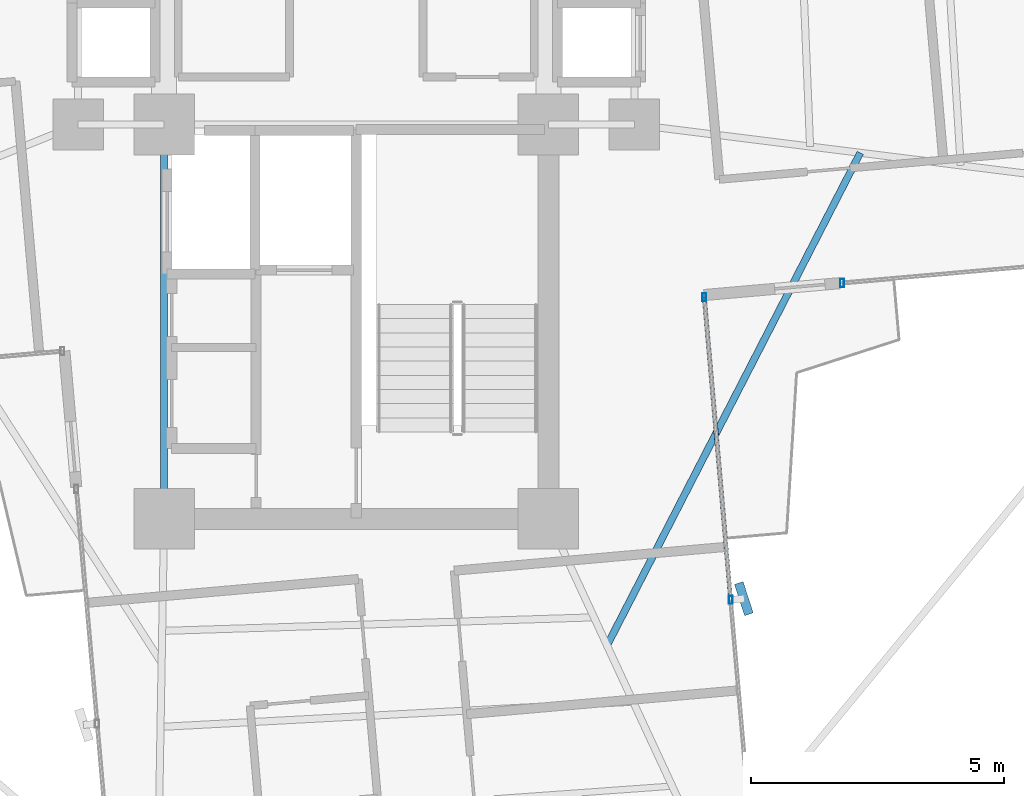
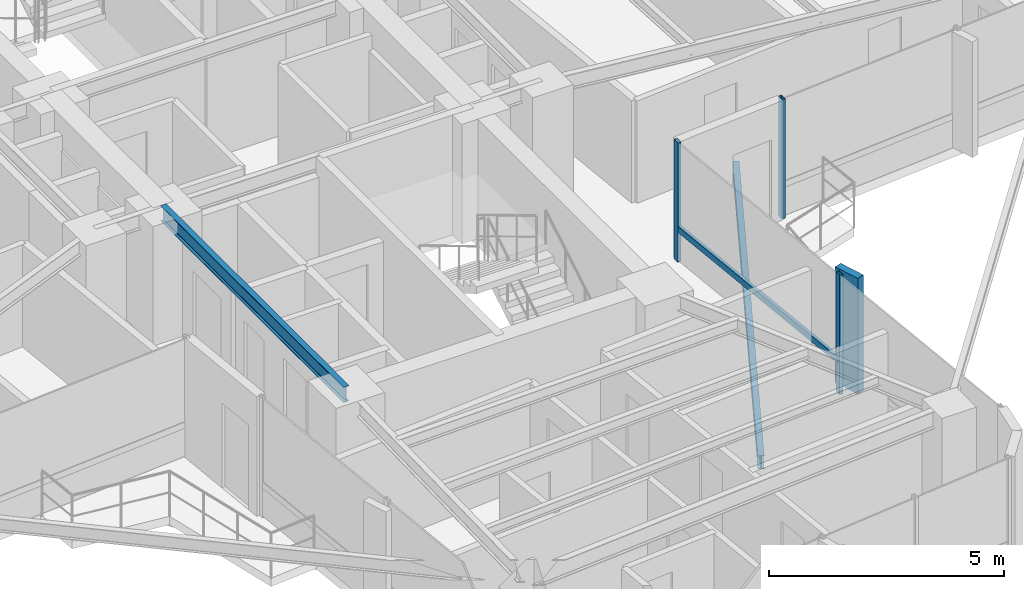
# One storey, part 7 of 24: 5 members, 2 beams, 2 elements without a shape of their own.
"""IFC4 building model written with IfcOpenShell, lengths in metres."""

from ifc_helpers import new_model, si_unit, direction, frame, origin, origin_2d, place, context, subcontext, project, spatial, rectangle, hollow_rectangle, i_section, extrude, source, transform, mapped, material, material_profile, profile_set, type_object, element, aggregate, save


model = new_model("IFC4")

# Units and contexts
model_context = context("Model", 3, precision=1e-05, world=origin(), true_north=direction((0.0, 1.0)))
body_context = subcontext(model_context, "Body", "Model", "MODEL_VIEW")
ifc_project = project(units=[si_unit("LENGTHUNIT", "METRE"), si_unit("AREAUNIT", "SQUARE_METRE"), si_unit("VOLUMEUNIT", "CUBIC_METRE"), si_unit("PLANEANGLEUNIT", "RADIAN"), si_unit("MASSUNIT", "GRAM", prefix="KILO")], contexts=[model_context])

# Site, building, storey
site_placement = place(None, origin())
site = spatial("IfcSite", under=ifc_project, at=site_placement, CompositionType="ELEMENT")
building_placement = place(site_placement, origin())
building = spatial("IfcBuilding", under=site, at=building_placement, Name="Sahyath Konkavel Grand Hotel", CompositionType="ELEMENT")
storey_placement = place(building_placement, frame((0.0, 0.0, 181.89990234375)))
storey = spatial("IfcBuildingStorey", under=building, at=storey_placement, Name="L50", CompositionType="ELEMENT", Elevation=181.89990234375)

# Beam
ifc_material_1 = material(Name="Steel E350", Category="steel")
ifc_material_profile_1 = material_profile(ifc_material_1, i_section(OverallWidth=0.139892578125, OverallDepth=0.39990234375, WebThickness=0.0087890625, FlangeThickness=0.01611328125, FilletRadius=0.013916015625, at=origin_2d()), Name="ISMB 400")
ifc_profile_set_1 = profile_set([ifc_material_profile_1], Name="Steel E350")
beam_type_1 = type_object("IfcBeamType", Name="BM-ISMB400", PredefinedType="BEAM", material=ifc_profile_set_1)
shared_shape_1 = source(origin(), body_context, "Body", "SweptSolid", [
    extrude(i_section(OverallWidth=0.139892578125, OverallDepth=0.39990234375, WebThickness=0.0087890625, FlangeThickness=0.01611328125, FilletRadius=0.013916015625, at=origin_2d()), origin(), (0.0, 0.0, 1.0), 7.800048828125),
])
beam_1_placement = place(storey_placement, frame((-3.800048828125, -10.199951171875, 2.91015625), z_axis=(0.0, 1.0, 0.0), x_axis=(-1.0, 0.0, 0.0)))
element("IfcBeam", 1, at=beam_1_placement, inside=storey, type_object=beam_type_1, Name="str:bm:L50:SC-W", PredefinedType="BEAM", context=body_context, shape_type="MappedRepresentation", body=[
    mapped(shared_shape_1, transform((0.0, 0.0, 0.0), scale=1.0)),
])

# Curtain wall, member
ifc_material_2 = material(Name="Anodised Bronze Aluminium & Low-E Glazing", Category="aluminium")
curtain_wall_type = type_object("IfcCurtainWallType", Name="CW-ZONE3", PredefinedType="NOTDEFINED", material=ifc_material_2)
curtain_wall_1_placement = place(storey_placement, origin())
curtain_wall_1 = element("IfcCurtainWall", 2, at=curtain_wall_1_placement, inside=storey, type_object=curtain_wall_type, Name="L50 Unitised Curtain Wall F31", PredefinedType="NOTDEFINED")
ifc_material_3 = material(Name="Warm Buff Sandstone Cladding on Concrete C50/60", Category="masonry")
ifc_material_profile_2 = material_profile(ifc_material_3, rectangle(XDim=0.179931640625, YDim=0.64990234375, at=origin_2d()), Name="FIN 180x650")
ifc_profile_set_2 = profile_set([ifc_material_profile_2], Name="Warm Buff Sandstone Cladding on Concrete C50/60")
member_type_1 = type_object("IfcMemberType", Name="FIN-SANDSTONE-650", PredefinedType="MULLION", material=ifc_profile_set_2)
shared_shape_2 = source(origin(), body_context, "Body", "SweptSolid", [
    extrude(rectangle(XDim=0.179931640625, YDim=0.64990234375, at=origin_2d()), origin(), (0.0, 0.0, 1.0), 3.010009765625),
])
member_1_placement = place(storey_placement, frame((7.66552734375, -11.776611328125, 0.050048828125), z_axis=(0.0, 0.0, 1.0), x_axis=(0.951379596601, 0.308020881065, 0.0)))
member_1 = element("IfcMember", 3, at=member_1_placement, type_object=member_type_1, Name="L50 Sandstone Vertical Solar Fin FIN F31-1", PredefinedType="MULLION", context=body_context, shape_type="MappedRepresentation", body=[
    mapped(shared_shape_2, transform((0.0, 0.0, 0.0), scale=1.0)),
])

curtain_wall_2_placement = place(storey_placement, origin())
curtain_wall_2 = element("IfcCurtainWall", 4, at=curtain_wall_2_placement, inside=storey, type_object=curtain_wall_type, Name="L50 Unitised Curtain Wall F0", PredefinedType="NOTDEFINED")
ifc_material_4 = material(Name="Anodised Bronze Aluminium", Category="aluminium")
ifc_material_profile_3 = material_profile(ifc_material_4, hollow_rectangle(XDim=0.080078125, YDim=0.159912109375, WallThickness=0.006103515625, at=origin_2d()), Name="RHS 160x80x6")
ifc_profile_set_3 = profile_set([ifc_material_profile_3], Name="Anodised Bronze Aluminium")
member_type_2 = type_object("IfcMemberType", Name="CW-MUL-160", PredefinedType="MULLION", material=ifc_profile_set_3)
shared_shape_3 = source(origin(), body_context, "Body", "SweptSolid", [
    extrude(hollow_rectangle(XDim=0.080078125, YDim=0.159912109375, WallThickness=0.006103515625, at=origin_2d()), origin(), (0.0, 0.0, 1.0), 3.110107421875),
])
member_2_placement = place(storey_placement, frame((9.60888671875, -5.53369140625, 0.0), z_axis=(0.0, 0.0, 1.0), x_axis=(1.0, 0.0, 0.0)))
member_2 = element("IfcMember", 5, at=member_2_placement, type_object=member_type_2, Name="L50 Curtain Wall Mullion F0-0", PredefinedType="MULLION", context=body_context, shape_type="MappedRepresentation", body=[
    mapped(shared_shape_3, transform((0.0, 0.0, 0.0), scale=1.0)),
])
aggregate(curtain_wall_2, [member_2])

# Member
member_3_placement = place(storey_placement, frame((7.406494140625, -11.79931640625, 0.0), z_axis=(0.0, 0.0, 1.0), x_axis=(1.0, 0.0, 0.0)))
member_3 = element("IfcMember", 6, at=member_3_placement, type_object=member_type_2, Name="L50 Curtain Wall Mullion F31-1", PredefinedType="MULLION", context=body_context, shape_type="MappedRepresentation", body=[
    mapped(shared_shape_3, transform((0.0, 0.0, 0.0), scale=1.0)),
])

member_4_placement = place(storey_placement, frame((6.8828125, -5.812255859375, 0.0), z_axis=(0.0, 0.0, 1.0), x_axis=(1.0, 0.0, 0.0)))
member_4 = element("IfcMember", 7, at=member_4_placement, type_object=member_type_2, Name="L50 Curtain Wall Mullion F31-2", PredefinedType="MULLION", context=body_context, shape_type="MappedRepresentation", body=[
    mapped(shared_shape_3, transform((0.0, 0.0, 0.0), scale=1.0)),
])

ifc_material_profile_4 = material_profile(ifc_material_4, hollow_rectangle(XDim=0.080078125, YDim=0.159912109375, WallThickness=0.006103515625, at=origin_2d()), Name="RHS 160x80x6")
ifc_profile_set_4 = profile_set([ifc_material_profile_4], Name="Anodised Bronze Aluminium")
member_type_3 = type_object("IfcMemberType", Name="CW-TRN-160", PredefinedType="USERDEFINED", material=ifc_profile_set_4)
shared_shape_4 = source(origin(), body_context, "Body", "SweptSolid", [
    extrude(hollow_rectangle(XDim=0.080078125, YDim=0.159912109375, WallThickness=0.006103515625, at=origin_2d()), origin(), (0.0, 0.0, 1.0), 6.010009765625),
])
member_5_placement = place(storey_placement, frame((7.406494140625, -11.79931640625, 0.85009765625), z_axis=(-0.087136210597, 0.996196406741, 0.0), x_axis=(-0.996196406741, -0.087136210597, 0.0)))
member_5 = element("IfcMember", 8, at=member_5_placement, type_object=member_type_3, Name="L50 Curtain Wall Transom F31-1-spandrel", ObjectType="TRANSOM", PredefinedType="USERDEFINED", context=body_context, shape_type="MappedRepresentation", body=[
    mapped(shared_shape_4, transform((0.0, 0.0, 0.0), scale=1.0)),
])

aggregate(curtain_wall_1, [member_3, member_1, member_4, member_5])

# Beam
ifc_material_profile_5 = material_profile(ifc_material_1, i_section(OverallWidth=0.139892578125, OverallDepth=0.35009765625, WebThickness=0.008056640625, FlangeThickness=0.01416015625, FilletRadius=0.013916015625, at=origin_2d()), Name="ISMB 350")
ifc_profile_set_5 = profile_set([ifc_material_profile_5], Name="Steel E350")
beam_type_2 = type_object("IfcBeamType", Name="BM-BALC-CANT", PredefinedType="BEAM", material=ifc_profile_set_5)
shared_shape_5 = source(origin(), body_context, "Body", "SweptSolid", [
    extrude(i_section(OverallWidth=0.139892578125, OverallDepth=0.35009765625, WebThickness=0.008056640625, FlangeThickness=0.01416015625, FilletRadius=0.013916015625, at=origin_2d()), origin(), (0.0, 0.0, 1.0), 10.95556640625),
])
beam_2_placement = place(storey_placement, frame((4.959716796875, -12.703125, -0.414794921875), z_axis=(0.457186878355, 0.889370652912, 0.0), x_axis=(-0.889370652912, 0.457186878355, 0.0)))
element("IfcBeam", 9, at=beam_2_placement, inside=storey, type_object=beam_type_2, Name="L50 Balcony Cantilever Support Beam SE", PredefinedType="BEAM", context=body_context, shape_type="MappedRepresentation", body=[
    mapped(shared_shape_5, transform((0.0, 0.0, 0.0), scale=1.0)),
])

save(model, "model.ifc")
